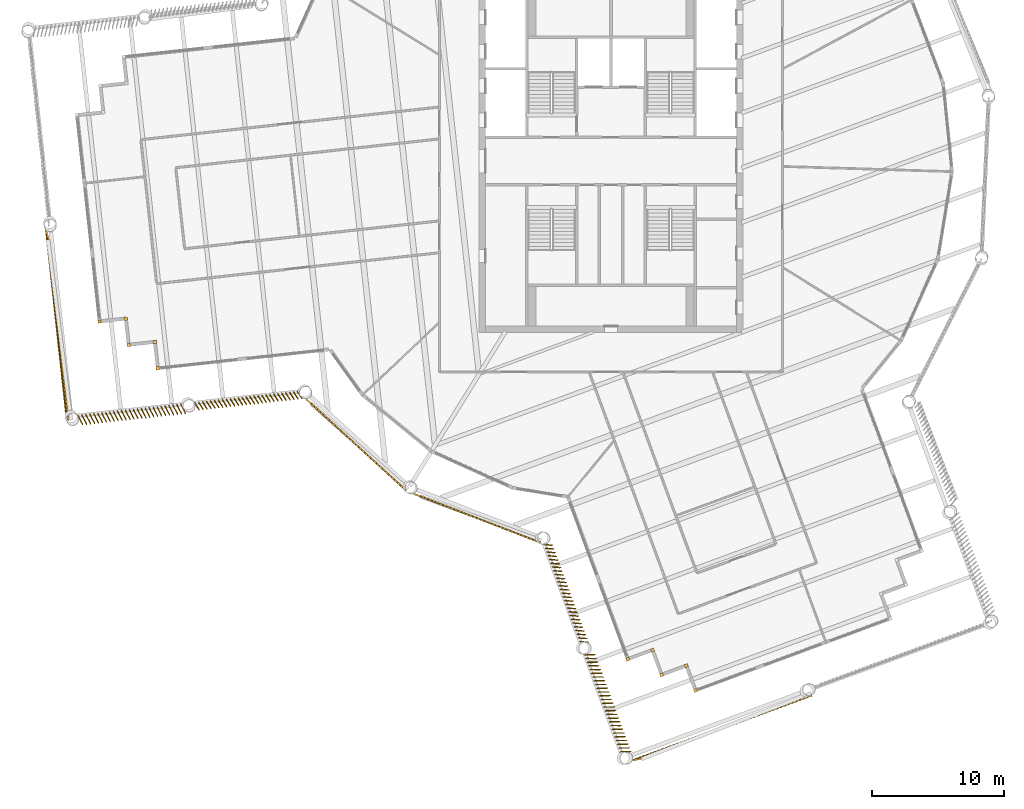
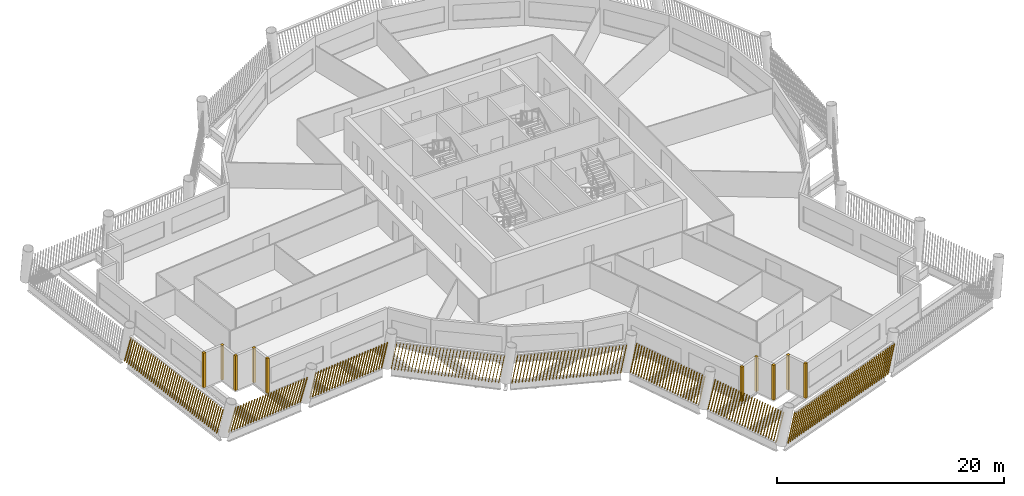
# One storey, part 10 of 14: 18 shading devices.
"""IFC4 building model written with IfcOpenShell, lengths in metres."""

from ifc_helpers import new_model, si_unit, direction, frame, frame_2d, origin, origin_2d, place, context, subcontext, project, spatial, rectangle, composite_profile, extrude, material, type_object, element, save


model = new_model("IFC4")

# Units and contexts
model_context = context("Model", 3, precision=1e-05, world=origin(), true_north=direction((0.0, 1.0)))
body_context = subcontext(model_context, "Body", "Model", "MODEL_VIEW")
ifc_project = project(units=[si_unit("LENGTHUNIT", "METRE"), si_unit("AREAUNIT", "SQUARE_METRE"), si_unit("VOLUMEUNIT", "CUBIC_METRE"), si_unit("PLANEANGLEUNIT", "RADIAN"), si_unit("MASSUNIT", "GRAM", prefix="KILO")], contexts=[model_context])

# Site, building, storey
site_placement = place(None, origin())
site = spatial("IfcSite", under=ifc_project, at=site_placement, CompositionType="ELEMENT")
building_placement = place(site_placement, origin())
building = spatial("IfcBuilding", under=site, at=building_placement, Name="Tarsis Ring Headquarters", CompositionType="ELEMENT")
storey_placement = place(building_placement, frame((0.0, 0.0, 311.89990234375)))
storey = spatial("IfcBuildingStorey", under=building, at=storey_placement, Name="L73", CompositionType="ELEMENT", Elevation=311.89990234375)

# Shading devices
ifc_material = material(Name="Terracotta baguette", Category="masonry")
shading_device_type_1 = type_object("IfcShadingDeviceType", Name="Terracotta baguette screen", PredefinedType="USERDEFINED", material=ifc_material)
shading_device_1_placement = place(storey_placement, frame((-14.958251953125, -25.228515625, 0.0), z_axis=(0.0, 0.0, 1.0), x_axis=(0.933115130921, -0.359609234459, 0.0)))
element("IfcShadingDevice", 1, at=shading_device_1_placement, inside=storey, type_object=shading_device_type_1, Name="Baguette screen L73-00", ObjectType="Terracotta baguette screen", PredefinedType="USERDEFINED", context=body_context, shape_type="SweptSolid", body=[
    extrude(composite_profile([rectangle(XDim=0.06005859375, YDim=0.1201171875, at=frame_2d((0.030029296875, 0.0))), rectangle(XDim=0.06005859375, YDim=0.1201171875, at=frame_2d((0.33349609375, 0.0))), rectangle(XDim=0.06005859375, YDim=0.1201171875, at=frame_2d((0.636962890625, 0.0))), rectangle(XDim=0.06005859375, YDim=0.1201171875, at=frame_2d((0.9404296875, 0.0))), rectangle(XDim=0.06005859375, YDim=0.1201171875, at=frame_2d((1.243896484375, 0.0))), rectangle(XDim=0.06005859375, YDim=0.1201171875, at=frame_2d((1.54736328125, 0.0))), rectangle(XDim=0.06005859375, YDim=0.1201171875, at=frame_2d((1.850830078125, 0.0))), rectangle(XDim=0.06005859375, YDim=0.1201171875, at=frame_2d((2.154296875, 0.0))), rectangle(XDim=0.06005859375, YDim=0.1201171875, at=frame_2d((2.4580078125, 0.0))), rectangle(XDim=0.06005859375, YDim=0.1201171875, at=frame_2d((2.761474609375, 0.0))), rectangle(XDim=0.06005859375, YDim=0.1201171875, at=frame_2d((3.06494140625, 0.0))), rectangle(XDim=0.06005859375, YDim=0.1201171875, at=frame_2d((3.368408203125, 0.0))), rectangle(XDim=0.06005859375, YDim=0.1201171875, at=frame_2d((3.671875, 0.0))), rectangle(XDim=0.06005859375, YDim=0.1201171875, at=frame_2d((3.975341796875, 0.0))), rectangle(XDim=0.06005859375, YDim=0.1201171875, at=frame_2d((4.27880859375, 0.0))), rectangle(XDim=0.06005859375, YDim=0.1201171875, at=frame_2d((4.582275390625, 0.0))), rectangle(XDim=0.06005859375, YDim=0.1201171875, at=frame_2d((4.8857421875, 0.0))), rectangle(XDim=0.06005859375, YDim=0.1201171875, at=frame_2d((5.189208984375, 0.0))), rectangle(XDim=0.06005859375, YDim=0.1201171875, at=frame_2d((5.49267578125, 0.0))), rectangle(XDim=0.06005859375, YDim=0.1201171875, at=frame_2d((5.796142578125, 0.0))), rectangle(XDim=0.06005859375, YDim=0.1201171875, at=frame_2d((6.099609375, 0.0))), rectangle(XDim=0.06005859375, YDim=0.1201171875, at=frame_2d((6.403076171875, 0.0))), rectangle(XDim=0.06005859375, YDim=0.1201171875, at=frame_2d((6.70654296875, 0.0))), rectangle(XDim=0.06005859375, YDim=0.1201171875, at=frame_2d((7.010009765625, 0.0))), rectangle(XDim=0.06005859375, YDim=0.1201171875, at=frame_2d((7.3134765625, 0.0))), rectangle(XDim=0.06005859375, YDim=0.1201171875, at=frame_2d((7.6171875, 0.0))), rectangle(XDim=0.06005859375, YDim=0.1201171875, at=frame_2d((7.920654296875, 0.0))), rectangle(XDim=0.06005859375, YDim=0.1201171875, at=frame_2d((8.22412109375, 0.0))), rectangle(XDim=0.06005859375, YDim=0.1201171875, at=frame_2d((8.527587890625, 0.0))), rectangle(XDim=0.06005859375, YDim=0.1201171875, at=frame_2d((8.8310546875, 0.0))), rectangle(XDim=0.06005859375, YDim=0.1201171875, at=frame_2d((9.134521484375, 0.0))), rectangle(XDim=0.06005859375, YDim=0.1201171875, at=frame_2d((9.43798828125, 0.0))), rectangle(XDim=0.06005859375, YDim=0.1201171875, at=frame_2d((9.741455078125, 0.0)))]), origin(), (0.174153755659, 0.001583506622, 0.984717198944), 3.01416015625),
])
shading_device_2_placement = place(storey_placement, frame((-5.06591796875, -29.041259765625, 0.0), z_axis=(0.0, 0.0, 1.0), x_axis=(0.345958971824, -0.93824147306, 0.0)))
element("IfcShadingDevice", 2, at=shading_device_2_placement, inside=storey, type_object=shading_device_type_1, Name="Baguette screen L73-01", ObjectType="Terracotta baguette screen", PredefinedType="USERDEFINED", context=body_context, shape_type="SweptSolid", body=[
    extrude(composite_profile([rectangle(XDim=0.06005859375, YDim=0.1201171875, at=frame_2d((0.030029296875, 0.0))), rectangle(XDim=0.06005859375, YDim=0.1201171875, at=frame_2d((0.33154296875, 0.0))), rectangle(XDim=0.06005859375, YDim=0.1201171875, at=frame_2d((0.63330078125, 0.0))), rectangle(XDim=0.06005859375, YDim=0.1201171875, at=frame_2d((0.934814453125, 0.0))), rectangle(XDim=0.06005859375, YDim=0.1201171875, at=frame_2d((1.236572265625, 0.0))), rectangle(XDim=0.06005859375, YDim=0.1201171875, at=frame_2d((1.5380859375, 0.0))), rectangle(XDim=0.06005859375, YDim=0.1201171875, at=frame_2d((1.83984375, 0.0))), rectangle(XDim=0.06005859375, YDim=0.1201171875, at=frame_2d((2.141357421875, 0.0))), rectangle(XDim=0.06005859375, YDim=0.1201171875, at=frame_2d((2.443115234375, 0.0))), rectangle(XDim=0.06005859375, YDim=0.1201171875, at=frame_2d((2.74462890625, 0.0))), rectangle(XDim=0.06005859375, YDim=0.1201171875, at=frame_2d((3.04638671875, 0.0))), rectangle(XDim=0.06005859375, YDim=0.1201171875, at=frame_2d((3.347900390625, 0.0))), rectangle(XDim=0.06005859375, YDim=0.1201171875, at=frame_2d((3.649658203125, 0.0))), rectangle(XDim=0.06005859375, YDim=0.1201171875, at=frame_2d((3.951171875, 0.0))), rectangle(XDim=0.06005859375, YDim=0.1201171875, at=frame_2d((4.252685546875, 0.0))), rectangle(XDim=0.06005859375, YDim=0.1201171875, at=frame_2d((4.554443359375, 0.0))), rectangle(XDim=0.06005859375, YDim=0.1201171875, at=frame_2d((4.85595703125, 0.0))), rectangle(XDim=0.06005859375, YDim=0.1201171875, at=frame_2d((5.15771484375, 0.0))), rectangle(XDim=0.06005859375, YDim=0.1201171875, at=frame_2d((5.459228515625, 0.0))), rectangle(XDim=0.06005859375, YDim=0.1201171875, at=frame_2d((5.760986328125, 0.0))), rectangle(XDim=0.06005859375, YDim=0.1201171875, at=frame_2d((6.0625, 0.0))), rectangle(XDim=0.06005859375, YDim=0.1201171875, at=frame_2d((6.3642578125, 0.0))), rectangle(XDim=0.06005859375, YDim=0.1201171875, at=frame_2d((6.665771484375, 0.0))), rectangle(XDim=0.06005859375, YDim=0.1201171875, at=frame_2d((6.967529296875, 0.0))), rectangle(XDim=0.06005859375, YDim=0.1201171875, at=frame_2d((7.26904296875, 0.0))), rectangle(XDim=0.06005859375, YDim=0.1201171875, at=frame_2d((7.57080078125, 0.0))), rectangle(XDim=0.06005859375, YDim=0.1201171875, at=frame_2d((7.872314453125, 0.0)))]), origin(), (0.087121740962, 0.177329812736, 0.980287682146), 3.027587890625),
])
shading_device_3_placement = place(storey_placement, frame((-1.986083984375, -37.393798828125, 0.0), z_axis=(0.0, 0.0, 1.0), x_axis=(0.345958971824, -0.93824147306, 0.0)))
element("IfcShadingDevice", 3, at=shading_device_3_placement, inside=storey, type_object=shading_device_type_1, Name="Baguette screen L73-02", ObjectType="Terracotta baguette screen", PredefinedType="USERDEFINED", context=body_context, shape_type="SweptSolid", body=[
    extrude(composite_profile([rectangle(XDim=0.06005859375, YDim=0.1201171875, at=frame_2d((0.030029296875, 0.0))), rectangle(XDim=0.06005859375, YDim=0.1201171875, at=frame_2d((0.33154296875, 0.0))), rectangle(XDim=0.06005859375, YDim=0.1201171875, at=frame_2d((0.63330078125, 0.0))), rectangle(XDim=0.06005859375, YDim=0.1201171875, at=frame_2d((0.934814453125, 0.0))), rectangle(XDim=0.06005859375, YDim=0.1201171875, at=frame_2d((1.236572265625, 0.0))), rectangle(XDim=0.06005859375, YDim=0.1201171875, at=frame_2d((1.5380859375, 0.0))), rectangle(XDim=0.06005859375, YDim=0.1201171875, at=frame_2d((1.83984375, 0.0))), rectangle(XDim=0.06005859375, YDim=0.1201171875, at=frame_2d((2.141357421875, 0.0))), rectangle(XDim=0.06005859375, YDim=0.1201171875, at=frame_2d((2.443115234375, 0.0))), rectangle(XDim=0.06005859375, YDim=0.1201171875, at=frame_2d((2.74462890625, 0.0))), rectangle(XDim=0.06005859375, YDim=0.1201171875, at=frame_2d((3.04638671875, 0.0))), rectangle(XDim=0.06005859375, YDim=0.1201171875, at=frame_2d((3.347900390625, 0.0))), rectangle(XDim=0.06005859375, YDim=0.1201171875, at=frame_2d((3.649658203125, 0.0))), rectangle(XDim=0.06005859375, YDim=0.1201171875, at=frame_2d((3.951171875, 0.0))), rectangle(XDim=0.06005859375, YDim=0.1201171875, at=frame_2d((4.252685546875, 0.0))), rectangle(XDim=0.06005859375, YDim=0.1201171875, at=frame_2d((4.554443359375, 0.0))), rectangle(XDim=0.06005859375, YDim=0.1201171875, at=frame_2d((4.85595703125, 0.0))), rectangle(XDim=0.06005859375, YDim=0.1201171875, at=frame_2d((5.15771484375, 0.0))), rectangle(XDim=0.06005859375, YDim=0.1201171875, at=frame_2d((5.459228515625, 0.0))), rectangle(XDim=0.06005859375, YDim=0.1201171875, at=frame_2d((5.760986328125, 0.0))), rectangle(XDim=0.06005859375, YDim=0.1201171875, at=frame_2d((6.0625, 0.0))), rectangle(XDim=0.06005859375, YDim=0.1201171875, at=frame_2d((6.3642578125, 0.0))), rectangle(XDim=0.06005859375, YDim=0.1201171875, at=frame_2d((6.665771484375, 0.0))), rectangle(XDim=0.06005859375, YDim=0.1201171875, at=frame_2d((6.967529296875, 0.0))), rectangle(XDim=0.06005859375, YDim=0.1201171875, at=frame_2d((7.26904296875, 0.0))), rectangle(XDim=0.06005859375, YDim=0.1201171875, at=frame_2d((7.57080078125, 0.0))), rectangle(XDim=0.06005859375, YDim=0.1201171875, at=frame_2d((7.872314453125, 0.0)))]), origin(), (0.085713119959, 0.228234196129, 0.96982597036), 3.060302734375),
])
shading_device_4_placement = place(storey_placement, frame((1.51953125, -45.4560546875, 0.0), z_axis=(0.0, 0.0, 1.0), x_axis=(0.938257408226, 0.345953118089, 0.0)))
element("IfcShadingDevice", 4, at=shading_device_4_placement, inside=storey, type_object=shading_device_type_1, Name="Baguette screen L73-03", ObjectType="Terracotta baguette screen", PredefinedType="USERDEFINED", context=body_context, shape_type="SweptSolid", body=[
    extrude(composite_profile([rectangle(XDim=0.06005859375, YDim=0.1201171875, at=frame_2d((0.030029296875, 0.0))), rectangle(XDim=0.06005859375, YDim=0.1201171875, at=frame_2d((0.33544921875, 0.0))), rectangle(XDim=0.06005859375, YDim=0.1201171875, at=frame_2d((0.640625, 0.0))), rectangle(XDim=0.06005859375, YDim=0.1201171875, at=frame_2d((0.946044921875, 0.0))), rectangle(XDim=0.06005859375, YDim=0.1201171875, at=frame_2d((1.25146484375, 0.0))), rectangle(XDim=0.06005859375, YDim=0.1201171875, at=frame_2d((1.556640625, 0.0))), rectangle(XDim=0.06005859375, YDim=0.1201171875, at=frame_2d((1.862060546875, 0.0))), rectangle(XDim=0.06005859375, YDim=0.1201171875, at=frame_2d((2.16748046875, 0.0))), rectangle(XDim=0.06005859375, YDim=0.1201171875, at=frame_2d((2.47265625, 0.0))), rectangle(XDim=0.06005859375, YDim=0.1201171875, at=frame_2d((2.778076171875, 0.0))), rectangle(XDim=0.06005859375, YDim=0.1201171875, at=frame_2d((3.08349609375, 0.0))), rectangle(XDim=0.06005859375, YDim=0.1201171875, at=frame_2d((3.388671875, 0.0))), rectangle(XDim=0.06005859375, YDim=0.1201171875, at=frame_2d((3.694091796875, 0.0))), rectangle(XDim=0.06005859375, YDim=0.1201171875, at=frame_2d((3.99951171875, 0.0))), rectangle(XDim=0.06005859375, YDim=0.1201171875, at=frame_2d((4.3046875, 0.0))), rectangle(XDim=0.06005859375, YDim=0.1201171875, at=frame_2d((4.610107421875, 0.0))), rectangle(XDim=0.06005859375, YDim=0.1201171875, at=frame_2d((4.91552734375, 0.0))), rectangle(XDim=0.06005859375, YDim=0.1201171875, at=frame_2d((5.220703125, 0.0))), rectangle(XDim=0.06005859375, YDim=0.1201171875, at=frame_2d((5.526123046875, 0.0))), rectangle(XDim=0.06005859375, YDim=0.1201171875, at=frame_2d((5.83154296875, 0.0))), rectangle(XDim=0.06005859375, YDim=0.1201171875, at=frame_2d((6.13671875, 0.0))), rectangle(XDim=0.06005859375, YDim=0.1201171875, at=frame_2d((6.442138671875, 0.0))), rectangle(XDim=0.06005859375, YDim=0.1201171875, at=frame_2d((6.74755859375, 0.0))), rectangle(XDim=0.06005859375, YDim=0.1201171875, at=frame_2d((7.052734375, 0.0))), rectangle(XDim=0.06005859375, YDim=0.1201171875, at=frame_2d((7.358154296875, 0.0))), rectangle(XDim=0.06005859375, YDim=0.1201171875, at=frame_2d((7.66357421875, 0.0))), rectangle(XDim=0.06005859375, YDim=0.1201171875, at=frame_2d((7.96875, 0.0))), rectangle(XDim=0.06005859375, YDim=0.1201171875, at=frame_2d((8.274169921875, 0.0))), rectangle(XDim=0.06005859375, YDim=0.1201171875, at=frame_2d((8.57958984375, 0.0))), rectangle(XDim=0.06005859375, YDim=0.1201171875, at=frame_2d((8.884765625, 0.0))), rectangle(XDim=0.06005859375, YDim=0.1201171875, at=frame_2d((9.190185546875, 0.0))), rectangle(XDim=0.06005859375, YDim=0.1201171875, at=frame_2d((9.49560546875, 0.0))), rectangle(XDim=0.06005859375, YDim=0.1201171875, at=frame_2d((9.80078125, 0.0))), rectangle(XDim=0.06005859375, YDim=0.1201171875, at=frame_2d((10.106201171875, 0.0))), rectangle(XDim=0.06005859375, YDim=0.1201171875, at=frame_2d((10.41162109375, 0.0))), rectangle(XDim=0.06005859375, YDim=0.1201171875, at=frame_2d((10.716796875, 0.0))), rectangle(XDim=0.06005859375, YDim=0.1201171875, at=frame_2d((11.022216796875, 0.0))), rectangle(XDim=0.06005859375, YDim=0.1201171875, at=frame_2d((11.32763671875, 0.0))), rectangle(XDim=0.06005859375, YDim=0.1201171875, at=frame_2d((11.6328125, 0.0))), rectangle(XDim=0.06005859375, YDim=0.1201171875, at=frame_2d((11.938232421875, 0.0))), rectangle(XDim=0.06005859375, YDim=0.1201171875, at=frame_2d((12.24365234375, 0.0))), rectangle(XDim=0.06005859375, YDim=0.1201171875, at=frame_2d((12.548828125, 0.0))), rectangle(XDim=0.06005859375, YDim=0.1201171875, at=frame_2d((12.854248046875, 0.0))), rectangle(XDim=0.06005859375, YDim=0.1201171875, at=frame_2d((13.15966796875, 0.0))), rectangle(XDim=0.06005859375, YDim=0.1201171875, at=frame_2d((13.46484375, 0.0))), rectangle(XDim=0.06005859375, YDim=0.1201171875, at=frame_2d((13.770263671875, 0.0)))]), origin(), (0.255434813366, -0.041397014252, 0.965939616815), 3.07275390625),
])
shading_device_5_placement = place(storey_placement, frame((-42.86474609375, -5.18994140625, 0.0), z_axis=(0.0, 0.0, 1.0), x_axis=(0.108677576294, -0.994073418841, 0.0)))
element("IfcShadingDevice", 5, at=shading_device_5_placement, inside=storey, type_object=shading_device_type_1, Name="Baguette screen L73-18", ObjectType="Terracotta baguette screen", PredefinedType="USERDEFINED", context=body_context, shape_type="SweptSolid", body=[
    extrude(composite_profile([rectangle(XDim=0.06005859375, YDim=0.1201171875, at=frame_2d((0.030029296875, 0.0))), rectangle(XDim=0.06005859375, YDim=0.1201171875, at=frame_2d((0.33544921875, 0.0))), rectangle(XDim=0.06005859375, YDim=0.1201171875, at=frame_2d((0.640625, 0.0))), rectangle(XDim=0.06005859375, YDim=0.1201171875, at=frame_2d((0.946044921875, 0.0))), rectangle(XDim=0.06005859375, YDim=0.1201171875, at=frame_2d((1.25146484375, 0.0))), rectangle(XDim=0.06005859375, YDim=0.1201171875, at=frame_2d((1.556640625, 0.0))), rectangle(XDim=0.06005859375, YDim=0.1201171875, at=frame_2d((1.862060546875, 0.0))), rectangle(XDim=0.06005859375, YDim=0.1201171875, at=frame_2d((2.16748046875, 0.0))), rectangle(XDim=0.06005859375, YDim=0.1201171875, at=frame_2d((2.47265625, 0.0))), rectangle(XDim=0.06005859375, YDim=0.1201171875, at=frame_2d((2.778076171875, 0.0))), rectangle(XDim=0.06005859375, YDim=0.1201171875, at=frame_2d((3.08349609375, 0.0))), rectangle(XDim=0.06005859375, YDim=0.1201171875, at=frame_2d((3.388671875, 0.0))), rectangle(XDim=0.06005859375, YDim=0.1201171875, at=frame_2d((3.694091796875, 0.0))), rectangle(XDim=0.06005859375, YDim=0.1201171875, at=frame_2d((3.99951171875, 0.0))), rectangle(XDim=0.06005859375, YDim=0.1201171875, at=frame_2d((4.3046875, 0.0))), rectangle(XDim=0.06005859375, YDim=0.1201171875, at=frame_2d((4.610107421875, 0.0))), rectangle(XDim=0.06005859375, YDim=0.1201171875, at=frame_2d((4.91552734375, 0.0))), rectangle(XDim=0.06005859375, YDim=0.1201171875, at=frame_2d((5.220703125, 0.0))), rectangle(XDim=0.06005859375, YDim=0.1201171875, at=frame_2d((5.526123046875, 0.0))), rectangle(XDim=0.06005859375, YDim=0.1201171875, at=frame_2d((5.83154296875, 0.0))), rectangle(XDim=0.06005859375, YDim=0.1201171875, at=frame_2d((6.13671875, 0.0))), rectangle(XDim=0.06005859375, YDim=0.1201171875, at=frame_2d((6.442138671875, 0.0))), rectangle(XDim=0.06005859375, YDim=0.1201171875, at=frame_2d((6.74755859375, 0.0))), rectangle(XDim=0.06005859375, YDim=0.1201171875, at=frame_2d((7.052734375, 0.0))), rectangle(XDim=0.06005859375, YDim=0.1201171875, at=frame_2d((7.358154296875, 0.0))), rectangle(XDim=0.06005859375, YDim=0.1201171875, at=frame_2d((7.66357421875, 0.0))), rectangle(XDim=0.06005859375, YDim=0.1201171875, at=frame_2d((7.96875, 0.0))), rectangle(XDim=0.06005859375, YDim=0.1201171875, at=frame_2d((8.274169921875, 0.0))), rectangle(XDim=0.06005859375, YDim=0.1201171875, at=frame_2d((8.57958984375, 0.0))), rectangle(XDim=0.06005859375, YDim=0.1201171875, at=frame_2d((8.884765625, 0.0))), rectangle(XDim=0.06005859375, YDim=0.1201171875, at=frame_2d((9.190185546875, 0.0))), rectangle(XDim=0.06005859375, YDim=0.1201171875, at=frame_2d((9.49560546875, 0.0))), rectangle(XDim=0.06005859375, YDim=0.1201171875, at=frame_2d((9.80078125, 0.0))), rectangle(XDim=0.06005859375, YDim=0.1201171875, at=frame_2d((10.106201171875, 0.0))), rectangle(XDim=0.06005859375, YDim=0.1201171875, at=frame_2d((10.41162109375, 0.0))), rectangle(XDim=0.06005859375, YDim=0.1201171875, at=frame_2d((10.716796875, 0.0))), rectangle(XDim=0.06005859375, YDim=0.1201171875, at=frame_2d((11.022216796875, 0.0))), rectangle(XDim=0.06005859375, YDim=0.1201171875, at=frame_2d((11.32763671875, 0.0))), rectangle(XDim=0.06005859375, YDim=0.1201171875, at=frame_2d((11.6328125, 0.0))), rectangle(XDim=0.06005859375, YDim=0.1201171875, at=frame_2d((11.938232421875, 0.0))), rectangle(XDim=0.06005859375, YDim=0.1201171875, at=frame_2d((12.24365234375, 0.0))), rectangle(XDim=0.06005859375, YDim=0.1201171875, at=frame_2d((12.548828125, 0.0))), rectangle(XDim=0.06005859375, YDim=0.1201171875, at=frame_2d((12.854248046875, 0.0))), rectangle(XDim=0.06005859375, YDim=0.1201171875, at=frame_2d((13.15966796875, 0.0))), rectangle(XDim=0.06005859375, YDim=0.1201171875, at=frame_2d((13.46484375, 0.0))), rectangle(XDim=0.06005859375, YDim=0.1201171875, at=frame_2d((13.770263671875, 0.0)))]), origin(), (0.25463848465, 0.046030627922, 0.965940175906), 3.07275390625),
])
shading_device_6_placement = place(storey_placement, frame((-40.440673828125, -19.31005859375, 0.0), z_axis=(0.0, 0.0, 1.0), x_axis=(0.994068215522, 0.108687592684, 0.0)))
element("IfcShadingDevice", 6, at=shading_device_6_placement, inside=storey, type_object=shading_device_type_1, Name="Baguette screen L73-19", ObjectType="Terracotta baguette screen", PredefinedType="USERDEFINED", context=body_context, shape_type="SweptSolid", body=[
    extrude(composite_profile([rectangle(XDim=0.06005859375, YDim=0.1201171875, at=frame_2d((0.030029296875, 0.0))), rectangle(XDim=0.06005859375, YDim=0.1201171875, at=frame_2d((0.33154296875, 0.0))), rectangle(XDim=0.06005859375, YDim=0.1201171875, at=frame_2d((0.63330078125, 0.0))), rectangle(XDim=0.06005859375, YDim=0.1201171875, at=frame_2d((0.934814453125, 0.0))), rectangle(XDim=0.06005859375, YDim=0.1201171875, at=frame_2d((1.236572265625, 0.0))), rectangle(XDim=0.06005859375, YDim=0.1201171875, at=frame_2d((1.5380859375, 0.0))), rectangle(XDim=0.06005859375, YDim=0.1201171875, at=frame_2d((1.83984375, 0.0))), rectangle(XDim=0.06005859375, YDim=0.1201171875, at=frame_2d((2.141357421875, 0.0))), rectangle(XDim=0.06005859375, YDim=0.1201171875, at=frame_2d((2.443115234375, 0.0))), rectangle(XDim=0.06005859375, YDim=0.1201171875, at=frame_2d((2.74462890625, 0.0))), rectangle(XDim=0.06005859375, YDim=0.1201171875, at=frame_2d((3.04638671875, 0.0))), rectangle(XDim=0.06005859375, YDim=0.1201171875, at=frame_2d((3.347900390625, 0.0))), rectangle(XDim=0.06005859375, YDim=0.1201171875, at=frame_2d((3.649658203125, 0.0))), rectangle(XDim=0.06005859375, YDim=0.1201171875, at=frame_2d((3.951171875, 0.0))), rectangle(XDim=0.06005859375, YDim=0.1201171875, at=frame_2d((4.252685546875, 0.0))), rectangle(XDim=0.06005859375, YDim=0.1201171875, at=frame_2d((4.554443359375, 0.0))), rectangle(XDim=0.06005859375, YDim=0.1201171875, at=frame_2d((4.85595703125, 0.0))), rectangle(XDim=0.06005859375, YDim=0.1201171875, at=frame_2d((5.15771484375, 0.0))), rectangle(XDim=0.06005859375, YDim=0.1201171875, at=frame_2d((5.459228515625, 0.0))), rectangle(XDim=0.06005859375, YDim=0.1201171875, at=frame_2d((5.760986328125, 0.0))), rectangle(XDim=0.06005859375, YDim=0.1201171875, at=frame_2d((6.0625, 0.0))), rectangle(XDim=0.06005859375, YDim=0.1201171875, at=frame_2d((6.3642578125, 0.0))), rectangle(XDim=0.06005859375, YDim=0.1201171875, at=frame_2d((6.665771484375, 0.0))), rectangle(XDim=0.06005859375, YDim=0.1201171875, at=frame_2d((6.967529296875, 0.0))), rectangle(XDim=0.06005859375, YDim=0.1201171875, at=frame_2d((7.26904296875, 0.0))), rectangle(XDim=0.06005859375, YDim=0.1201171875, at=frame_2d((7.57080078125, 0.0))), rectangle(XDim=0.06005859375, YDim=0.1201171875, at=frame_2d((7.872314453125, 0.0)))]), origin(), (0.089840544956, -0.226640991888, 0.969826034543), 3.060302734375),
])
shading_device_7_placement = place(storey_placement, frame((-31.59130859375, -18.342529296875, 0.0), z_axis=(0.0, 0.0, 1.0), x_axis=(0.994068215522, 0.108718487395, 0.0)))
element("IfcShadingDevice", 7, at=shading_device_7_placement, inside=storey, type_object=shading_device_type_1, Name="Baguette screen L73-20", ObjectType="Terracotta baguette screen", PredefinedType="USERDEFINED", context=body_context, shape_type="SweptSolid", body=[
    extrude(composite_profile([rectangle(XDim=0.06005859375, YDim=0.1201171875, at=frame_2d((0.030029296875, 0.0))), rectangle(XDim=0.06005859375, YDim=0.1201171875, at=frame_2d((0.33154296875, 0.0))), rectangle(XDim=0.06005859375, YDim=0.1201171875, at=frame_2d((0.63330078125, 0.0))), rectangle(XDim=0.06005859375, YDim=0.1201171875, at=frame_2d((0.934814453125, 0.0))), rectangle(XDim=0.06005859375, YDim=0.1201171875, at=frame_2d((1.236572265625, 0.0))), rectangle(XDim=0.06005859375, YDim=0.1201171875, at=frame_2d((1.5380859375, 0.0))), rectangle(XDim=0.06005859375, YDim=0.1201171875, at=frame_2d((1.83984375, 0.0))), rectangle(XDim=0.06005859375, YDim=0.1201171875, at=frame_2d((2.141357421875, 0.0))), rectangle(XDim=0.06005859375, YDim=0.1201171875, at=frame_2d((2.443115234375, 0.0))), rectangle(XDim=0.06005859375, YDim=0.1201171875, at=frame_2d((2.74462890625, 0.0))), rectangle(XDim=0.06005859375, YDim=0.1201171875, at=frame_2d((3.04638671875, 0.0))), rectangle(XDim=0.06005859375, YDim=0.1201171875, at=frame_2d((3.347900390625, 0.0))), rectangle(XDim=0.06005859375, YDim=0.1201171875, at=frame_2d((3.649658203125, 0.0))), rectangle(XDim=0.06005859375, YDim=0.1201171875, at=frame_2d((3.951171875, 0.0))), rectangle(XDim=0.06005859375, YDim=0.1201171875, at=frame_2d((4.252685546875, 0.0))), rectangle(XDim=0.06005859375, YDim=0.1201171875, at=frame_2d((4.554443359375, 0.0))), rectangle(XDim=0.06005859375, YDim=0.1201171875, at=frame_2d((4.85595703125, 0.0))), rectangle(XDim=0.06005859375, YDim=0.1201171875, at=frame_2d((5.15771484375, 0.0))), rectangle(XDim=0.06005859375, YDim=0.1201171875, at=frame_2d((5.459228515625, 0.0))), rectangle(XDim=0.06005859375, YDim=0.1201171875, at=frame_2d((5.760986328125, 0.0))), rectangle(XDim=0.06005859375, YDim=0.1201171875, at=frame_2d((6.0625, 0.0))), rectangle(XDim=0.06005859375, YDim=0.1201171875, at=frame_2d((6.3642578125, 0.0))), rectangle(XDim=0.06005859375, YDim=0.1201171875, at=frame_2d((6.665771484375, 0.0))), rectangle(XDim=0.06005859375, YDim=0.1201171875, at=frame_2d((6.967529296875, 0.0))), rectangle(XDim=0.06005859375, YDim=0.1201171875, at=frame_2d((7.26904296875, 0.0))), rectangle(XDim=0.06005859375, YDim=0.1201171875, at=frame_2d((7.57080078125, 0.0))), rectangle(XDim=0.06005859375, YDim=0.1201171875, at=frame_2d((7.872314453125, 0.0)))]), origin(), (0.090320098695, -0.175722454102, 0.9802876613), 3.027587890625),
])
shading_device_8_placement = place(storey_placement, frame((-23.122802734375, -18.043212890625, 0.0), z_axis=(0.0, 0.0, 1.0), x_axis=(0.737913803873, -0.674903185509, 0.0)))
element("IfcShadingDevice", 8, at=shading_device_8_placement, inside=storey, type_object=shading_device_type_1, Name="Baguette screen L73-21", ObjectType="Terracotta baguette screen", PredefinedType="USERDEFINED", context=body_context, shape_type="SweptSolid", body=[
    extrude(composite_profile([rectangle(XDim=0.06005859375, YDim=0.1201171875, at=frame_2d((0.030029296875, 0.0))), rectangle(XDim=0.06005859375, YDim=0.1201171875, at=frame_2d((0.33349609375, 0.0))), rectangle(XDim=0.06005859375, YDim=0.1201171875, at=frame_2d((0.636962890625, 0.0))), rectangle(XDim=0.06005859375, YDim=0.1201171875, at=frame_2d((0.9404296875, 0.0))), rectangle(XDim=0.06005859375, YDim=0.1201171875, at=frame_2d((1.243896484375, 0.0))), rectangle(XDim=0.06005859375, YDim=0.1201171875, at=frame_2d((1.54736328125, 0.0))), rectangle(XDim=0.06005859375, YDim=0.1201171875, at=frame_2d((1.85107421875, 0.0))), rectangle(XDim=0.06005859375, YDim=0.1201171875, at=frame_2d((2.154541015625, 0.0))), rectangle(XDim=0.06005859375, YDim=0.1201171875, at=frame_2d((2.4580078125, 0.0))), rectangle(XDim=0.06005859375, YDim=0.1201171875, at=frame_2d((2.761474609375, 0.0))), rectangle(XDim=0.06005859375, YDim=0.1201171875, at=frame_2d((3.06494140625, 0.0))), rectangle(XDim=0.06005859375, YDim=0.1201171875, at=frame_2d((3.368408203125, 0.0))), rectangle(XDim=0.06005859375, YDim=0.1201171875, at=frame_2d((3.671875, 0.0))), rectangle(XDim=0.06005859375, YDim=0.1201171875, at=frame_2d((3.975341796875, 0.0))), rectangle(XDim=0.06005859375, YDim=0.1201171875, at=frame_2d((4.27880859375, 0.0))), rectangle(XDim=0.06005859375, YDim=0.1201171875, at=frame_2d((4.582275390625, 0.0))), rectangle(XDim=0.06005859375, YDim=0.1201171875, at=frame_2d((4.8857421875, 0.0))), rectangle(XDim=0.06005859375, YDim=0.1201171875, at=frame_2d((5.189453125, 0.0))), rectangle(XDim=0.06005859375, YDim=0.1201171875, at=frame_2d((5.492919921875, 0.0))), rectangle(XDim=0.06005859375, YDim=0.1201171875, at=frame_2d((5.79638671875, 0.0))), rectangle(XDim=0.06005859375, YDim=0.1201171875, at=frame_2d((6.099853515625, 0.0))), rectangle(XDim=0.06005859375, YDim=0.1201171875, at=frame_2d((6.4033203125, 0.0))), rectangle(XDim=0.06005859375, YDim=0.1201171875, at=frame_2d((6.706787109375, 0.0))), rectangle(XDim=0.06005859375, YDim=0.1201171875, at=frame_2d((7.01025390625, 0.0))), rectangle(XDim=0.06005859375, YDim=0.1201171875, at=frame_2d((7.313720703125, 0.0))), rectangle(XDim=0.06005859375, YDim=0.1201171875, at=frame_2d((7.6171875, 0.0))), rectangle(XDim=0.06005859375, YDim=0.1201171875, at=frame_2d((7.920654296875, 0.0))), rectangle(XDim=0.06005859375, YDim=0.1201171875, at=frame_2d((8.224365234375, 0.0))), rectangle(XDim=0.06005859375, YDim=0.1201171875, at=frame_2d((8.52783203125, 0.0))), rectangle(XDim=0.06005859375, YDim=0.1201171875, at=frame_2d((8.831298828125, 0.0))), rectangle(XDim=0.06005859375, YDim=0.1201171875, at=frame_2d((9.134765625, 0.0))), rectangle(XDim=0.06005859375, YDim=0.1201171875, at=frame_2d((9.438232421875, 0.0))), rectangle(XDim=0.06005859375, YDim=0.1201171875, at=frame_2d((9.74169921875, 0.0)))]), origin(), (0.174152709939, 0.001584775235, 0.984717381845), 3.01416015625),
])
shading_device_type_2 = type_object("IfcShadingDeviceType", Name="Terracotta corner baguette 250x250", PredefinedType="USERDEFINED", material=ifc_material)
for number, where, z_axis, x_axis, name in (
    (9, (-34.371826171875, -15.7041015625, 0.0), (0.0, 0.0, 1.0), (0.108693481734, -0.994075312554, 0.0), "Corner baguette L73-01"),
    (10, (1.269287109375, -37.76806640625, 0.0), (0.0, 0.0, 1.0), (0.345953273777, -0.938251742531, 0.0), "Corner baguette L73-07"),
    (11, (3.145751953125, -37.076171875, 0.0), (0.0, 0.0, 1.0), (0.938251639885, 0.345953552162, 0.0), "Corner baguette L73-08"),
    (12, (3.837646484375, -38.95263671875, 0.0), (0.0, 0.0, 1.0), (0.345953388406, -0.938251700265, 0.0), "Corner baguette L73-09"),
    (13, (5.71435546875, -38.2607421875, 0.0), (0.0, 0.0, 1.0), (0.938251700265, 0.345953388406, 0.0), "Corner baguette L73-10"),
    (14, (6.40625, -40.13720703125, 0.0), (0.0, 0.0, 1.0), (0.345953110021, -0.938251802911, 0.0), "Corner baguette L73-11"),
    (15, (-38.78271484375, -12.16259765625, 0.0), (0.0, 0.0, 1.0), (0.108693377634, -0.994075323936, 0.0), "Corner baguette L73-37"),
    (16, (-36.794677734375, -11.945068359375, 0.0), (0.0, 0.0, 1.0), (0.994075312554, 0.108693481734, 0.0), "Corner baguette L73-38"),
    (17, (-36.5771484375, -13.933349609375, 0.0), (0.0, 0.0, 1.0), (0.108692978587, -0.994075367568, 0.0), "Corner baguette L73-39"),
    (18, (-34.589111328125, -13.7158203125, 0.0), (0.0, 0.0, 1.0), (0.994075312554, 0.108693481734, 0.0), "Corner baguette L73-40"),
):
    element("IfcShadingDevice", number, at=place(storey_placement, frame(where, z_axis=z_axis, x_axis=x_axis)), inside=storey, type_object=shading_device_type_2, Name=name, ObjectType="Terracotta corner baguette", PredefinedType="USERDEFINED", context=body_context, shape_type="SweptSolid", body=[
        extrude(rectangle(XDim=0.25, YDim=0.25, at=origin_2d()), origin(), (0.0, 0.0, 1.0), 3.739990234375),
    ])

save(model, "model.ifc")
